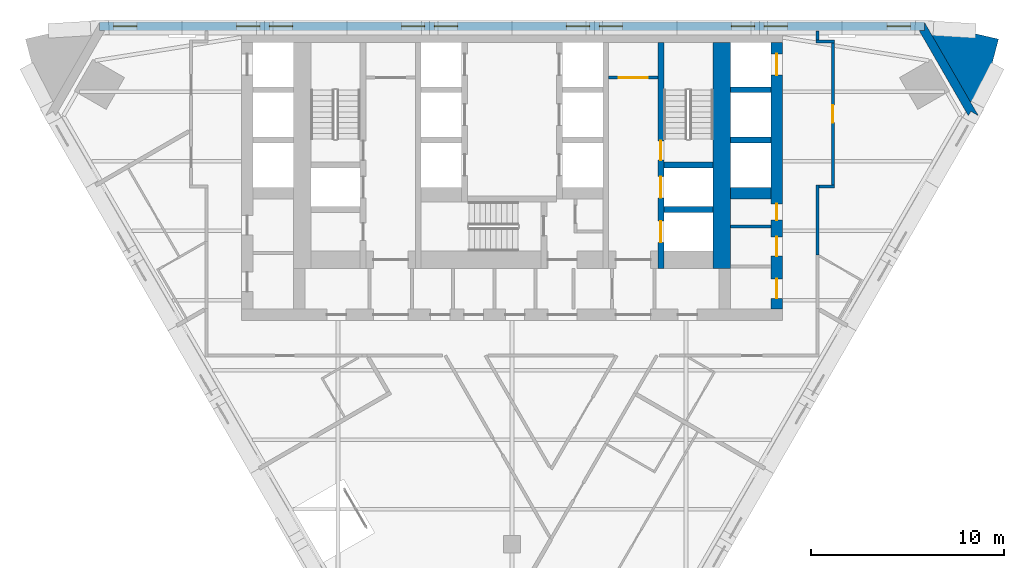
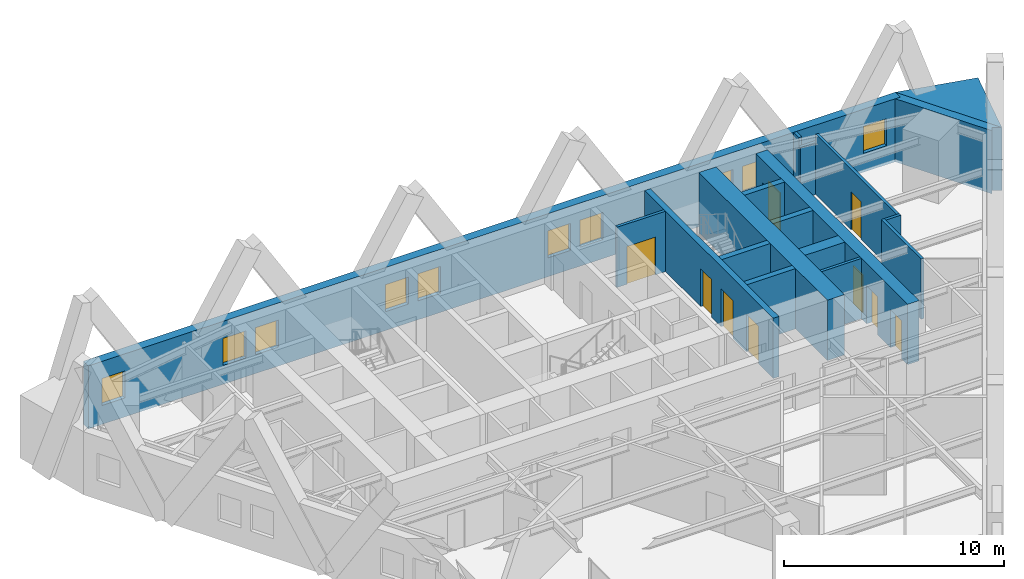
# One storey, part 10 of 12: 18 walls, 10 windows, 9 doors, 19 openings.
"""IFC4 building model written with IfcOpenShell, lengths in metres."""

from ifc_helpers import new_model, si_unit, direction, frame, frame_2d, origin, place, context, subcontext, project, spatial, polyline, rectangle, outline, extrude, material, layer, layer_set, type_object, element, fill, save


model = new_model("IFC4")

# Units and contexts
model_context = context("Model", 3, precision=1e-05, world=origin(), true_north=direction((0.0, 1.0)))
body_context = subcontext(model_context, "Body", "Model", "MODEL_VIEW")
ifc_project = project(units=[si_unit("LENGTHUNIT", "METRE"), si_unit("AREAUNIT", "SQUARE_METRE"), si_unit("VOLUMEUNIT", "CUBIC_METRE"), si_unit("PLANEANGLEUNIT", "RADIAN"), si_unit("MASSUNIT", "GRAM", prefix="KILO")], contexts=[model_context])

# Site, building, storey
site_placement = place(None, origin())
site = spatial("IfcSite", under=ifc_project, at=site_placement, CompositionType="ELEMENT")
building_placement = place(site_placement, origin())
building = spatial("IfcBuilding", under=site, at=building_placement, Name="Aloe Facet Convention Tower", CompositionType="ELEMENT")
storey_placement = place(building_placement, frame((0.0, 0.0, 102.800048828125)))
storey = spatial("IfcBuildingStorey", under=building, at=storey_placement, Name="L25", CompositionType="ELEMENT", Elevation=102.800048828125)

# Wall, opening, door
ifc_material_1 = material(Name="Concrete blockwork partition", Category="masonry")
ifc_layer_1 = layer(ifc_material_1, 0.14990234375)
ifc_layer_set_1 = layer_set([ifc_layer_1], Name="CR-W-PART150")
wall_type_1 = type_object("IfcWallType", Name="CR-W-PART150", PredefinedType="PARTITIONING", material=ifc_layer_set_1)
wall_1_placement = place(storey_placement, frame((85.0, 132.125, 0.0), z_axis=(0.0, 0.0, 1.0), x_axis=(1.0, 0.0, 0.0)))
wall_1 = element("IfcWall", 1, at=wall_1_placement, inside=storey, type_object=wall_type_1, Name="Core partition L25-038", PredefinedType="PARTITIONING", context=body_context, shape_type="SweptSolid", body=[
    extrude(rectangle(XDim=2.550048828125, YDim=0.14990234375, at=frame_2d((1.27490234375, 0.0))), origin(), (0.0, 0.0, 1.0), 3.349853515625),
])
opening_1_placement = place(wall_1_placement, frame((0.52490234375, 0.0, 0.0)))
opening_1 = element("IfcOpeningElement", 2, at=opening_1_placement, cuts=wall_1, Name="Opening L25-CD21", PredefinedType="OPENING", context=body_context, shape_type="SweptSolid", body=[
    extrude(rectangle(XDim=1.5, YDim=2.10009765625, at=frame_2d((0.75, 1.050048828125))), frame((0.0, 0.0849609375, 0.0), z_axis=(0.0, -1.0, 0.0), x_axis=(1.0, 0.0, 0.0)), (0.0, 0.0, 1.0), 0.169921875),
])
ifc_material_2 = material(Name="Steel fire-resisting door set FD60", Category="steel")
door_type_1 = type_object("IfcDoorType", Name="CR-D-REFUGE-1500-FD60-DD", OperationType="DOUBLE_DOOR_DOUBLE_SWING", PredefinedType="DOOR", material=ifc_material_2)
door_1_placement = place(opening_1_placement, origin())
door_1 = element("IfcDoor", 3, at=door_1_placement, inside=storey, type_object=door_type_1, Name="Core door L25-CD21", OperationType="DOUBLE_DOOR_DOUBLE_SWING", OverallHeight=2.10009765625, OverallWidth=1.5, PredefinedType="DOOR", context=body_context, shape_type="SweptSolid", body=[
    extrude(rectangle(XDim=1.5, YDim=2.10009765625, at=frame_2d((0.75, 1.050048828125))), frame((0.0, 0.02490234375, 0.0), z_axis=(0.0, -1.0, 0.0), x_axis=(1.0, 0.0, 0.0)), (0.0, 0.0, 1.0), 0.050048828125),
])
fill(opening_1, door_1)

# Wall
wall_2_placement = place(storey_placement, frame((91.300048828125, 124.425048828125, 0.0), z_axis=(0.0, 0.0, 1.0), x_axis=(1.0, 0.0, 0.0)))
element("IfcWall", 4, at=wall_2_placement, inside=storey, type_object=wall_type_1, Name="Core partition L25-051", PredefinedType="PARTITIONING", context=body_context, shape_type="SweptSolid", body=[
    extrude(rectangle(XDim=2.099853515625, YDim=0.14990234375, at=frame_2d((1.0498046875, 0.0))), origin(), (0.0, 0.0, 1.0), 3.349853515625),
])

# Wall, openings, doors
ifc_material_3 = material(Name="Concrete C70/85", Category="concrete")
ifc_layer_2 = layer(ifc_material_3, 0.300048828125)
ifc_layer_set_2 = layer_set([ifc_layer_2], Name="CR-W-RC300-C7085")
wall_type_2 = type_object("IfcWallType", Name="CR-W-RC300-C7085", PredefinedType="SOLIDWALL", material=ifc_layer_set_2)
wall_3_placement = place(storey_placement, frame((87.699951171875, 133.949951171875, 0.0), z_axis=(0.0, 0.0, 1.0), x_axis=(0.0, -1.0, 0.0)))
wall_3 = element("IfcWall", 5, at=wall_3_placement, inside=storey, type_object=wall_type_2, Name="Core wall L25-042", PredefinedType="SOLIDWALL", context=body_context, shape_type="SweptSolid", body=[
    extrude(rectangle(XDim=11.699951171875, YDim=0.300048828125, at=frame_2d((5.85009765625, 0.0))), origin(), (0.0, 0.0, 1.0), 3.349853515625),
])
opening_2_placement = place(wall_3_placement, frame((6.949951171875, 0.0, 0.0)))
opening_2 = element("IfcOpeningElement", 6, at=opening_2_placement, cuts=wall_3, Name="Opening LD-FF2-L25", PredefinedType="OPENING", context=body_context, shape_type="SweptSolid", body=[
    extrude(rectangle(XDim=1.10009765625, YDim=2.10009765625, at=frame_2d((0.550048828125, 1.050048828125))), frame((0.0, 0.16015625, 0.0), z_axis=(0.0, -1.0, 0.0), x_axis=(1.0, 0.0, 0.0)), (0.0, 0.0, 1.0), 0.320068359375),
])
opening_3_placement = place(wall_3_placement, frame((5.10009765625, 0.0, 0.0)))
opening_3 = element("IfcOpeningElement", 7, at=opening_3_placement, cuts=wall_3, Name="Opening L25-CD31", PredefinedType="OPENING", context=body_context, shape_type="SweptSolid", body=[
    extrude(rectangle(XDim=1.0, YDim=2.10009765625, at=frame_2d((0.5, 1.050048828125))), frame((0.0, 0.16015625, 0.0), z_axis=(0.0, -1.0, 0.0), x_axis=(1.0, 0.0, 0.0)), (0.0, 0.0, 1.0), 0.320068359375),
])
opening_4_placement = place(wall_3_placement, frame((9.25, 0.0, 0.0)))
opening_4 = element("IfcOpeningElement", 8, at=opening_4_placement, cuts=wall_3, Name="Opening LD-SV1-L25", PredefinedType="OPENING", context=body_context, shape_type="SweptSolid", body=[
    extrude(rectangle(XDim=1.10009765625, YDim=2.10009765625, at=frame_2d((0.550048828125, 1.050048828125))), frame((0.0, 0.16015625, 0.0), z_axis=(0.0, -1.0, 0.0), x_axis=(1.0, 0.0, 0.0)), (0.0, 0.0, 1.0), 0.320068359375),
])
ifc_material_4 = material(Name="Steel fire-resisting door set FD120", Category="steel")
door_type_2 = type_object("IfcDoorType", Name="CR-D-STAIR-1000-FD120-SLEFT", OperationType="SINGLE_SWING_LEFT", PredefinedType="DOOR", material=ifc_material_4)
door_2_placement = place(opening_3_placement, origin())
door_2 = element("IfcDoor", 9, at=door_2_placement, inside=storey, type_object=door_type_2, Name="Core door L25-CD31", OperationType="SINGLE_SWING_LEFT", OverallHeight=2.10009765625, OverallWidth=1.0, PredefinedType="DOOR", context=body_context, shape_type="SweptSolid", body=[
    extrude(rectangle(XDim=1.0, YDim=2.10009765625, at=frame_2d((0.5, 1.050048828125))), frame((0.0, 0.02490234375, 0.0), z_axis=(0.0, -1.0, 0.0), x_axis=(1.0, 0.0, 0.0)), (0.0, 0.0, 1.0), 0.050048828125),
])
fill(opening_3, door_2)
ifc_material_5 = material(Name="Stainless steel sliding landing door", Category="steel")
door_type_3 = type_object("IfcDoorType", Name="CR-LD-1100-FD120-_LEFT", OperationType="SLIDING_TO_LEFT", PredefinedType="DOOR", material=ifc_material_5)
door_3_placement = place(opening_2_placement, origin())
door_3 = element("IfcDoor", 10, at=door_3_placement, inside=storey, type_object=door_type_3, Name="Landing door FF2 L25", OperationType="SLIDING_TO_LEFT", OverallHeight=2.10009765625, OverallWidth=1.10009765625, PredefinedType="DOOR", context=body_context, shape_type="SweptSolid", body=[
    extrude(rectangle(XDim=1.10009765625, YDim=2.10009765625, at=frame_2d((0.550048828125, 1.050048828125))), frame((0.0, 0.02490234375, 0.0), z_axis=(0.0, -1.0, 0.0), x_axis=(1.0, 0.0, 0.0)), (0.0, 0.0, 1.0), 0.050048828125),
])
fill(opening_2, door_3)
door_4_placement = place(opening_4_placement, origin())
door_4 = element("IfcDoor", 11, at=door_4_placement, inside=storey, type_object=door_type_3, Name="Landing door SV1 L25", OperationType="SLIDING_TO_LEFT", OverallHeight=2.10009765625, OverallWidth=1.10009765625, PredefinedType="DOOR", context=body_context, shape_type="SweptSolid", body=[
    extrude(rectangle(XDim=1.10009765625, YDim=2.10009765625, at=frame_2d((0.550048828125, 1.050048828125))), frame((0.0, 0.02490234375, 0.0), z_axis=(0.0, -1.0, 0.0), x_axis=(1.0, 0.0, 0.0)), (0.0, 0.0, 1.0), 0.050048828125),
])
fill(opening_4, door_4)

# Walls
for number, where, z_axis, x_axis, name in (
    (12, (87.85009765625, 127.60009765625, 0.0), (0.0, 0.0, 1.0), (1.0, 0.0, 0.0), "Core wall L25-043"),
    (13, (87.85009765625, 125.300048828125, 0.0), (0.0, 0.0, 1.0), (1.0, 0.0, 0.0), "Core wall L25-044"),
):
    element("IfcWall", number, at=place(storey_placement, frame(where, z_axis=z_axis, x_axis=x_axis)), inside=storey, type_object=wall_type_2, Name=name, PredefinedType="SOLIDWALL", context=body_context, shape_type="SweptSolid", body=[
        extrude(rectangle(XDim=2.5498046875, YDim=0.300048828125, at=frame_2d((1.27490234375, 0.0))), origin(), (0.0, 0.0, 1.0), 3.349853515625),
    ])
for number, where, z_axis, x_axis, name in (
    (14, (91.300048828125, 131.5, 0.0), (0.0, 0.0, 1.0), (1.0, 0.0, 0.0), "Core wall L25-048"),
    (15, (91.300048828125, 128.89990234375, 0.0), (0.0, 0.0, 1.0), (1.0, 0.0, 0.0), "Core wall L25-049"),
):
    element("IfcWall", number, at=place(storey_placement, frame(where, z_axis=z_axis, x_axis=x_axis)), inside=storey, type_object=wall_type_2, Name=name, PredefinedType="SOLIDWALL", context=body_context, shape_type="SweptSolid", body=[
        extrude(rectangle(XDim=2.099853515625, YDim=0.300048828125, at=frame_2d((1.0498046875, 0.0))), origin(), (0.0, 0.0, 1.0), 3.349853515625),
    ])
ifc_material_6 = material(Name="Concrete C70/85", Category="concrete")
ifc_layer_3 = layer(ifc_material_6, 0.60009765625)
ifc_layer_set_3 = layer_set([ifc_layer_3], Name="CR-W-RC600-C7085")
wall_type_3 = type_object("IfcWallType", Name="CR-W-RC600-C7085", PredefinedType="SOLIDWALL", material=ifc_layer_set_3)
wall_4_placement = place(storey_placement, frame((91.300048828125, 126.14990234375, 0.0), z_axis=(0.0, 0.0, 1.0), x_axis=(1.0, 0.0, 0.0)))
element("IfcWall", 16, at=wall_4_placement, inside=storey, type_object=wall_type_3, Name="Core wall L25-050", PredefinedType="SOLIDWALL", context=body_context, shape_type="SweptSolid", body=[
    extrude(rectangle(XDim=2.099853515625, YDim=0.60009765625, at=frame_2d((1.0498046875, 0.0))), origin(), (0.0, 0.0, 1.0), 3.349853515625),
])

# Wall, openings, doors
wall_5_placement = place(storey_placement, frame((93.699951171875, 133.949951171875, 0.0), z_axis=(0.0, 0.0, 1.0), x_axis=(0.0, -1.0, 0.0)))
wall_5 = element("IfcWall", 17, at=wall_5_placement, inside=storey, type_object=wall_type_3, Name="Core wall L25-053", PredefinedType="SOLIDWALL", context=body_context, shape_type="SweptSolid", body=[
    extrude(rectangle(XDim=13.800048828125, YDim=0.60009765625, at=frame_2d((6.89990234375, 0.0))), origin(), (0.0, 0.0, 1.0), 3.349853515625),
])
opening_5_placement = place(wall_5_placement, frame((0.60009765625, 0.0, 0.0)))
opening_5 = element("IfcOpeningElement", 18, at=opening_5_placement, cuts=wall_5, Name="Opening LD-A8-L25", PredefinedType="OPENING", context=body_context, shape_type="SweptSolid", body=[
    extrude(rectangle(XDim=1.10009765625, YDim=2.10009765625, at=frame_2d((0.550048828125, 1.050048828125))), frame((0.0, 0.31005859375, 0.0), z_axis=(0.0, -1.0, 0.0), x_axis=(1.0, 0.0, 0.0)), (0.0, 0.0, 1.0), 0.6201171875),
])
opening_6_placement = place(wall_5_placement, frame((10.064208984375, 0.0, 0.0)))
opening_6 = element("IfcOpeningElement", 19, at=opening_6_placement, cuts=wall_5, Name="Opening L25-CD09", PredefinedType="OPENING", context=body_context, shape_type="SweptSolid", body=[
    extrude(rectangle(XDim=1.0, YDim=2.10009765625, at=frame_2d((0.5, 1.050048828125))), frame((0.0, 0.31005859375, 0.0), z_axis=(0.0, -1.0, 0.0), x_axis=(1.0, 0.0, 0.0)), (0.0, 0.0, 1.0), 0.6201171875),
])
opening_7_placement = place(wall_5_placement, frame((8.35009765625, 0.0, 0.0)))
opening_7 = element("IfcOpeningElement", 20, at=opening_7_placement, cuts=wall_5, Name="Opening L25-CD10", PredefinedType="OPENING", context=body_context, shape_type="SweptSolid", body=[
    extrude(rectangle(XDim=0.85009765625, YDim=2.10009765625, at=frame_2d((0.425048828125, 1.050048828125))), frame((0.0, 0.31005859375, 0.0), z_axis=(0.0, -1.0, 0.0), x_axis=(1.0, 0.0, 0.0)), (0.0, 0.0, 1.0), 0.6201171875),
])
opening_8_placement = place(wall_5_placement, frame((12.2392578125, 0.0, 0.0)))
opening_8 = element("IfcOpeningElement", 21, at=opening_8_placement, cuts=wall_5, Name="Opening L25-CD11", PredefinedType="OPENING", context=body_context, shape_type="SweptSolid", body=[
    extrude(rectangle(XDim=1.0, YDim=2.10009765625, at=frame_2d((0.5, 1.050048828125))), frame((0.0, 0.31005859375, 0.0), z_axis=(0.0, -1.0, 0.0), x_axis=(1.0, 0.0, 0.0)), (0.0, 0.0, 1.0), 0.6201171875),
])
ifc_material_7 = material(Name="Steel fire-resisting door set FD60", Category="steel")
door_type_4 = type_object("IfcDoorType", Name="CR-D-ROOM-1000-FD60-SLEFT", OperationType="SINGLE_SWING_LEFT", PredefinedType="DOOR", material=ifc_material_7)
door_5_placement = place(opening_6_placement, origin())
door_5 = element("IfcDoor", 22, at=door_5_placement, inside=storey, type_object=door_type_4, Name="Core door L25-CD09", OperationType="SINGLE_SWING_LEFT", OverallHeight=2.10009765625, OverallWidth=1.0, PredefinedType="DOOR", context=body_context, shape_type="SweptSolid", body=[
    extrude(rectangle(XDim=1.0, YDim=2.10009765625, at=frame_2d((0.5, 1.050048828125))), frame((0.0, 0.02490234375, 0.0), z_axis=(0.0, -1.0, 0.0), x_axis=(1.0, 0.0, 0.0)), (0.0, 0.0, 1.0), 0.050048828125),
])
fill(opening_6, door_5)
door_6_placement = place(opening_8_placement, origin())
door_6 = element("IfcDoor", 23, at=door_6_placement, inside=storey, type_object=door_type_4, Name="Core door L25-CD11", OperationType="SINGLE_SWING_LEFT", OverallHeight=2.10009765625, OverallWidth=1.0, PredefinedType="DOOR", context=body_context, shape_type="SweptSolid", body=[
    extrude(rectangle(XDim=1.0, YDim=2.10009765625, at=frame_2d((0.5, 1.050048828125))), frame((0.0, 0.02490234375, 0.0), z_axis=(0.0, -1.0, 0.0), x_axis=(1.0, 0.0, 0.0)), (0.0, 0.0, 1.0), 0.050048828125),
])
fill(opening_8, door_6)
ifc_material_8 = material(Name="Steel fire-resisting door set FD60", Category="steel")
door_type_5 = type_object("IfcDoorType", Name="CR-D-ROOM-850-FD60-SLEFT", OperationType="SINGLE_SWING_LEFT", PredefinedType="DOOR", material=ifc_material_8)
door_7_placement = place(opening_7_placement, origin())
door_7 = element("IfcDoor", 24, at=door_7_placement, inside=storey, type_object=door_type_5, Name="Core door L25-CD10", OperationType="SINGLE_SWING_LEFT", OverallHeight=2.10009765625, OverallWidth=0.85009765625, PredefinedType="DOOR", context=body_context, shape_type="SweptSolid", body=[
    extrude(rectangle(XDim=0.85009765625, YDim=2.10009765625, at=frame_2d((0.425048828125, 1.050048828125))), frame((0.0, 0.02490234375, 0.0), z_axis=(0.0, -1.0, 0.0), x_axis=(1.0, 0.0, 0.0)), (0.0, 0.0, 1.0), 0.050048828125),
])
fill(opening_7, door_7)
ifc_material_9 = material(Name="Stainless steel sliding landing door", Category="steel")
door_type_6 = type_object("IfcDoorType", Name="CR-LD-1100-FD60-_LEFT", OperationType="SLIDING_TO_LEFT", PredefinedType="DOOR", material=ifc_material_9)
door_8_placement = place(opening_5_placement, origin())
door_8 = element("IfcDoor", 25, at=door_8_placement, inside=storey, type_object=door_type_6, Name="Landing door A8 L25", OperationType="SLIDING_TO_LEFT", OverallHeight=2.10009765625, OverallWidth=1.10009765625, PredefinedType="DOOR", context=body_context, shape_type="SweptSolid", body=[
    extrude(rectangle(XDim=1.10009765625, YDim=2.10009765625, at=frame_2d((0.550048828125, 1.050048828125))), frame((0.0, 0.02490234375, 0.0), z_axis=(0.0, -1.0, 0.0), x_axis=(1.0, 0.0, 0.0)), (0.0, 0.0, 1.0), 0.050048828125),
])
fill(opening_5, door_8)

# Walls
ifc_material_10 = material(Name="Concrete C70/85", Category="concrete")
ifc_layer_4 = layer(ifc_material_10, 0.89990234375)
ifc_layer_set_4 = layer_set([ifc_layer_4], Name="CR-W-RC900-C7085")
wall_type_4 = type_object("IfcWallType", Name="CR-W-RC900-C7085", PredefinedType="SOLIDWALL", material=ifc_layer_set_4)
wall_6_placement = place(storey_placement, frame((90.85009765625, 133.949951171875, 0.0), z_axis=(0.0, 0.0, 1.0), x_axis=(0.0, -1.0, 0.0)))
element("IfcWall", 26, at=wall_6_placement, inside=storey, type_object=wall_type_4, Name="Core wall L25-046", PredefinedType="SOLIDWALL", context=body_context, shape_type="SweptSolid", body=[
    extrude(rectangle(XDim=11.699951171875, YDim=0.89990234375, at=frame_2d((5.85009765625, 0.0))), origin(), (0.0, 0.0, 1.0), 3.349853515625),
])
ifc_material_11 = material(Name="Precast concrete C40/50", Category="concrete")
ifc_layer_5 = layer(ifc_material_11, 0.449951171875)
ifc_layer_set_5 = layer_set([ifc_layer_5], Name="EV-WALL-PIER")
wall_type_5 = type_object("IfcWallType", Name="EV-WALL-PIER", PredefinedType="SOLIDWALL", material=ifc_layer_set_5)
wall_7_placement = place(storey_placement, frame((0.0, 0.0, -0.150146484375)))
element("IfcWall", 27, at=wall_7_placement, inside=storey, type_object=wall_type_5, Name="EP-L25-C", PredefinedType="SOLIDWALL", context=body_context, shape_type="SweptSolid", body=[
    extrude(outline(polyline([(104.12158203125, 130.150146484375), (103.73193359375, 130.375244140625), (103.601806640625, 130.150146484375), (101.061767578125, 134.550048828125), (101.321533203125, 134.550048828125), (101.321533203125, 135.0), (104.12158203125, 130.150146484375)])), origin(), (0.0, 0.0, 1.0), 3.5),
])
ifc_material_12 = material(Name="Precast concrete C40/50", Category="concrete")
ifc_layer_6 = layer(ifc_material_12, 3.947998046875)
ifc_layer_set_6 = layer_set([ifc_layer_6], Name="EV-WALL-SPINE")
wall_type_6 = type_object("IfcWallType", Name="EV-WALL-SPINE", PredefinedType="SOLIDWALL", material=ifc_layer_set_6)
wall_8_placement = place(storey_placement, frame((0.0, 0.0, -0.150146484375)))
element("IfcWall", 28, at=wall_8_placement, inside=storey, type_object=wall_type_6, Name="SP-NE-L25", PredefinedType="SOLIDWALL", context=body_context, shape_type="SweptSolid", body=[
    extrude(outline(polyline([(104.12158203125, 130.150146484375), (105.16015625, 134.11572265625), (101.321533203125, 135.0), (104.12158203125, 130.150146484375)])), origin(), (0.0, 0.0, 1.0), 3.5),
])

# Wall, openings, windows
ifc_material_13 = material(Name="Precast concrete C40/50", Category="concrete")
ifc_layer_7 = layer(ifc_material_13, 0.449951171875)
ifc_layer_set_7 = layer_set([ifc_layer_7], Name="EV-WALL-STONE")
wall_type_7 = type_object("IfcWallType", Name="EV-WALL-STONE", PredefinedType="SOLIDWALL", material=ifc_layer_set_7)
wall_9_placement = place(storey_placement, frame((101.321533203125, 134.77490234375, -0.150146484375), z_axis=(0.0, 0.0, 1.0), x_axis=(-1.0, 0.0, 0.0)))
wall_9 = element("IfcWall", 29, at=wall_9_placement, inside=storey, type_object=wall_type_7, Name="EW-L25-N01", PredefinedType="SOLIDWALL", context=body_context, shape_type="SweptSolid", body=[
    extrude(outline(polyline([(42.64306640625, 0.0), (42.64306640625, 3.5), (0.0, 3.5), (0.0, 0.0), (42.64306640625, 0.0)])), frame((0.0, 0.22509765625, 0.0), z_axis=(0.0, -1.0, 0.0), x_axis=(1.0, 0.0, 0.0)), (0.0, 0.0, 1.0), 0.449951171875),
])
opening_9_placement = place(wall_9_placement, frame((0.720458984375, 0.0, 1.050048828125)))
opening_9 = element("IfcOpeningElement", 30, at=opening_9_placement, cuts=wall_9, Name="Opening W-L25-N01", PredefinedType="OPENING", context=body_context, shape_type="SweptSolid", body=[
    extrude(rectangle(XDim=1.199951171875, YDim=1.5, at=frame_2d((0.60009765625, 0.75))), frame((0.0, 0.23486328125, 0.0), z_axis=(0.0, -1.0, 0.0), x_axis=(1.0, 0.0, 0.0)), (0.0, 0.0, 1.0), 0.469970703125),
])
opening_10_placement = place(wall_9_placement, frame((7.07861328125, 0.0, 1.050048828125)))
opening_10 = element("IfcOpeningElement", 31, at=opening_10_placement, cuts=wall_9, Name="Opening W-L25-N02", PredefinedType="OPENING", context=body_context, shape_type="SweptSolid", body=[
    extrude(rectangle(XDim=1.199951171875, YDim=1.5, at=frame_2d((0.60009765625, 0.75))), frame((0.0, 0.23486328125, 0.0), z_axis=(0.0, -1.0, 0.0), x_axis=(1.0, 0.0, 0.0)), (0.0, 0.0, 1.0), 0.469970703125),
])
opening_11_placement = place(wall_9_placement, frame((8.778564453125, 0.0, 1.050048828125)))
opening_11 = element("IfcOpeningElement", 32, at=opening_11_placement, cuts=wall_9, Name="Opening W-L25-N03", PredefinedType="OPENING", context=body_context, shape_type="SweptSolid", body=[
    extrude(rectangle(XDim=1.199951171875, YDim=1.5, at=frame_2d((0.60009765625, 0.75))), frame((0.0, 0.23486328125, 0.0), z_axis=(0.0, -1.0, 0.0), x_axis=(1.0, 0.0, 0.0)), (0.0, 0.0, 1.0), 0.469970703125),
])
opening_12_placement = place(wall_9_placement, frame((15.607177734375, 0.0, 1.050048828125)))
opening_12 = element("IfcOpeningElement", 33, at=opening_12_placement, cuts=wall_9, Name="Opening W-L25-N04", PredefinedType="OPENING", context=body_context, shape_type="SweptSolid", body=[
    extrude(rectangle(XDim=1.199951171875, YDim=1.5, at=frame_2d((0.60009765625, 0.75))), frame((0.0, 0.23486328125, 0.0), z_axis=(0.0, -1.0, 0.0), x_axis=(1.0, 0.0, 0.0)), (0.0, 0.0, 1.0), 0.469970703125),
])
opening_13_placement = place(wall_9_placement, frame((17.30712890625, 0.0, 1.050048828125)))
opening_13 = element("IfcOpeningElement", 34, at=opening_13_placement, cuts=wall_9, Name="Opening W-L25-N05", PredefinedType="OPENING", context=body_context, shape_type="SweptSolid", body=[
    extrude(rectangle(XDim=1.199951171875, YDim=1.5, at=frame_2d((0.60009765625, 0.75))), frame((0.0, 0.23486328125, 0.0), z_axis=(0.0, -1.0, 0.0), x_axis=(1.0, 0.0, 0.0)), (0.0, 0.0, 1.0), 0.469970703125),
])
opening_14_placement = place(wall_9_placement, frame((24.1357421875, 0.0, 1.050048828125)))
opening_14 = element("IfcOpeningElement", 35, at=opening_14_placement, cuts=wall_9, Name="Opening W-L25-N06", PredefinedType="OPENING", context=body_context, shape_type="SweptSolid", body=[
    extrude(rectangle(XDim=1.199951171875, YDim=1.5, at=frame_2d((0.60009765625, 0.75))), frame((0.0, 0.23486328125, 0.0), z_axis=(0.0, -1.0, 0.0), x_axis=(1.0, 0.0, 0.0)), (0.0, 0.0, 1.0), 0.469970703125),
])
opening_15_placement = place(wall_9_placement, frame((25.8359375, 0.0, 1.050048828125)))
opening_15 = element("IfcOpeningElement", 36, at=opening_15_placement, cuts=wall_9, Name="Opening W-L25-N07", PredefinedType="OPENING", context=body_context, shape_type="SweptSolid", body=[
    extrude(rectangle(XDim=1.199951171875, YDim=1.5, at=frame_2d((0.60009765625, 0.75))), frame((0.0, 0.23486328125, 0.0), z_axis=(0.0, -1.0, 0.0), x_axis=(1.0, 0.0, 0.0)), (0.0, 0.0, 1.0), 0.469970703125),
])
opening_16_placement = place(wall_9_placement, frame((32.66455078125, 0.0, 1.050048828125)))
opening_16 = element("IfcOpeningElement", 37, at=opening_16_placement, cuts=wall_9, Name="Opening W-L25-N08", PredefinedType="OPENING", context=body_context, shape_type="SweptSolid", body=[
    extrude(rectangle(XDim=1.199951171875, YDim=1.5, at=frame_2d((0.60009765625, 0.75))), frame((0.0, 0.23486328125, 0.0), z_axis=(0.0, -1.0, 0.0), x_axis=(1.0, 0.0, 0.0)), (0.0, 0.0, 1.0), 0.469970703125),
])
opening_17_placement = place(wall_9_placement, frame((34.364501953125, 0.0, 1.050048828125)))
opening_17 = element("IfcOpeningElement", 38, at=opening_17_placement, cuts=wall_9, Name="Opening W-L25-N09", PredefinedType="OPENING", context=body_context, shape_type="SweptSolid", body=[
    extrude(rectangle(XDim=1.199951171875, YDim=1.5, at=frame_2d((0.60009765625, 0.75))), frame((0.0, 0.23486328125, 0.0), z_axis=(0.0, -1.0, 0.0), x_axis=(1.0, 0.0, 0.0)), (0.0, 0.0, 1.0), 0.469970703125),
])
opening_18_placement = place(wall_9_placement, frame((40.722412109375, 0.0, 1.050048828125)))
opening_18 = element("IfcOpeningElement", 39, at=opening_18_placement, cuts=wall_9, Name="Opening W-L25-N10", PredefinedType="OPENING", context=body_context, shape_type="SweptSolid", body=[
    extrude(rectangle(XDim=1.199951171875, YDim=1.5, at=frame_2d((0.60009765625, 0.75))), frame((0.0, 0.23486328125, 0.0), z_axis=(0.0, -1.0, 0.0), x_axis=(1.0, 0.0, 0.0)), (0.0, 0.0, 1.0), 0.469970703125),
])
ifc_material_14 = material(Name="Aluminium frame, clear double glazing", Category="aluminium")
window_type = type_object("IfcWindowType", Name="EV-WIN-H12", PartitioningType="SINGLE_PANEL", PredefinedType="WINDOW", material=ifc_material_14)
window_1_placement = place(opening_9_placement, origin())
window_1 = element("IfcWindow", 40, at=window_1_placement, inside=storey, type_object=window_type, Name="W-L25-N01", OverallHeight=1.5, OverallWidth=1.199951171875, PartitioningType="SINGLE_PANEL", PredefinedType="WINDOW", context=body_context, shape_type="SweptSolid", body=[
    extrude(rectangle(XDim=1.199951171875, YDim=1.5, at=frame_2d((0.60009765625, 0.75))), frame((0.0, 0.030029296875, 0.0), z_axis=(0.0, -1.0, 0.0), x_axis=(1.0, 0.0, 0.0)), (0.0, 0.0, 1.0), 0.06005859375),
])
fill(opening_9, window_1)
window_2_placement = place(opening_10_placement, origin())
window_2 = element("IfcWindow", 41, at=window_2_placement, inside=storey, type_object=window_type, Name="W-L25-N02", OverallHeight=1.5, OverallWidth=1.199951171875, PartitioningType="SINGLE_PANEL", PredefinedType="WINDOW", context=body_context, shape_type="SweptSolid", body=[
    extrude(rectangle(XDim=1.199951171875, YDim=1.5, at=frame_2d((0.60009765625, 0.75))), frame((0.0, 0.030029296875, 0.0), z_axis=(0.0, -1.0, 0.0), x_axis=(1.0, 0.0, 0.0)), (0.0, 0.0, 1.0), 0.06005859375),
])
fill(opening_10, window_2)
window_3_placement = place(opening_11_placement, origin())
window_3 = element("IfcWindow", 42, at=window_3_placement, inside=storey, type_object=window_type, Name="W-L25-N03", OverallHeight=1.5, OverallWidth=1.199951171875, PartitioningType="SINGLE_PANEL", PredefinedType="WINDOW", context=body_context, shape_type="SweptSolid", body=[
    extrude(rectangle(XDim=1.199951171875, YDim=1.5, at=frame_2d((0.60009765625, 0.75))), frame((0.0, 0.030029296875, 0.0), z_axis=(0.0, -1.0, 0.0), x_axis=(1.0, 0.0, 0.0)), (0.0, 0.0, 1.0), 0.06005859375),
])
fill(opening_11, window_3)
window_4_placement = place(opening_12_placement, origin())
window_4 = element("IfcWindow", 43, at=window_4_placement, inside=storey, type_object=window_type, Name="W-L25-N04", OverallHeight=1.5, OverallWidth=1.199951171875, PartitioningType="SINGLE_PANEL", PredefinedType="WINDOW", context=body_context, shape_type="SweptSolid", body=[
    extrude(rectangle(XDim=1.199951171875, YDim=1.5, at=frame_2d((0.60009765625, 0.75))), frame((0.0, 0.030029296875, 0.0), z_axis=(0.0, -1.0, 0.0), x_axis=(1.0, 0.0, 0.0)), (0.0, 0.0, 1.0), 0.06005859375),
])
fill(opening_12, window_4)
window_5_placement = place(opening_13_placement, origin())
window_5 = element("IfcWindow", 44, at=window_5_placement, inside=storey, type_object=window_type, Name="W-L25-N05", OverallHeight=1.5, OverallWidth=1.199951171875, PartitioningType="SINGLE_PANEL", PredefinedType="WINDOW", context=body_context, shape_type="SweptSolid", body=[
    extrude(rectangle(XDim=1.199951171875, YDim=1.5, at=frame_2d((0.60009765625, 0.75))), frame((0.0, 0.030029296875, 0.0), z_axis=(0.0, -1.0, 0.0), x_axis=(1.0, 0.0, 0.0)), (0.0, 0.0, 1.0), 0.06005859375),
])
fill(opening_13, window_5)
window_6_placement = place(opening_14_placement, origin())
window_6 = element("IfcWindow", 45, at=window_6_placement, inside=storey, type_object=window_type, Name="W-L25-N06", OverallHeight=1.5, OverallWidth=1.199951171875, PartitioningType="SINGLE_PANEL", PredefinedType="WINDOW", context=body_context, shape_type="SweptSolid", body=[
    extrude(rectangle(XDim=1.199951171875, YDim=1.5, at=frame_2d((0.60009765625, 0.75))), frame((0.0, 0.030029296875, 0.0), z_axis=(0.0, -1.0, 0.0), x_axis=(1.0, 0.0, 0.0)), (0.0, 0.0, 1.0), 0.06005859375),
])
fill(opening_14, window_6)
window_7_placement = place(opening_15_placement, origin())
window_7 = element("IfcWindow", 46, at=window_7_placement, inside=storey, type_object=window_type, Name="W-L25-N07", OverallHeight=1.5, OverallWidth=1.199951171875, PartitioningType="SINGLE_PANEL", PredefinedType="WINDOW", context=body_context, shape_type="SweptSolid", body=[
    extrude(rectangle(XDim=1.199951171875, YDim=1.5, at=frame_2d((0.60009765625, 0.75))), frame((0.0, 0.030029296875, 0.0), z_axis=(0.0, -1.0, 0.0), x_axis=(1.0, 0.0, 0.0)), (0.0, 0.0, 1.0), 0.06005859375),
])
fill(opening_15, window_7)
window_8_placement = place(opening_16_placement, origin())
window_8 = element("IfcWindow", 47, at=window_8_placement, inside=storey, type_object=window_type, Name="W-L25-N08", OverallHeight=1.5, OverallWidth=1.199951171875, PartitioningType="SINGLE_PANEL", PredefinedType="WINDOW", context=body_context, shape_type="SweptSolid", body=[
    extrude(rectangle(XDim=1.199951171875, YDim=1.5, at=frame_2d((0.60009765625, 0.75))), frame((0.0, 0.030029296875, 0.0), z_axis=(0.0, -1.0, 0.0), x_axis=(1.0, 0.0, 0.0)), (0.0, 0.0, 1.0), 0.06005859375),
])
fill(opening_16, window_8)
window_9_placement = place(opening_17_placement, origin())
window_9 = element("IfcWindow", 48, at=window_9_placement, inside=storey, type_object=window_type, Name="W-L25-N09", OverallHeight=1.5, OverallWidth=1.199951171875, PartitioningType="SINGLE_PANEL", PredefinedType="WINDOW", context=body_context, shape_type="SweptSolid", body=[
    extrude(rectangle(XDim=1.199951171875, YDim=1.5, at=frame_2d((0.60009765625, 0.75))), frame((0.0, 0.030029296875, 0.0), z_axis=(0.0, -1.0, 0.0), x_axis=(1.0, 0.0, 0.0)), (0.0, 0.0, 1.0), 0.06005859375),
])
fill(opening_17, window_9)
window_10_placement = place(opening_18_placement, origin())
window_10 = element("IfcWindow", 49, at=window_10_placement, inside=storey, type_object=window_type, Name="W-L25-N10", OverallHeight=1.5, OverallWidth=1.199951171875, PartitioningType="SINGLE_PANEL", PredefinedType="WINDOW", context=body_context, shape_type="SweptSolid", body=[
    extrude(rectangle(XDim=1.199951171875, YDim=1.5, at=frame_2d((0.60009765625, 0.75))), frame((0.0, 0.030029296875, 0.0), z_axis=(0.0, -1.0, 0.0), x_axis=(1.0, 0.0, 0.0)), (0.0, 0.0, 1.0), 0.06005859375),
])
fill(opening_18, window_10)

# Walls
ifc_material_15 = material(Name="Gypsum board partition on steel studs", Category="steel")
ifc_layer_8 = layer(ifc_material_15, 0.14990234375)
ifc_layer_set_8 = layer_set([ifc_layer_8], Name="IN-W-CORR")
wall_type_8 = type_object("IfcWallType", Name="IN-W-CORR", PredefinedType="PARTITIONING", material=ifc_layer_set_8)
wall_10_placement = place(storey_placement, frame((95.800048828125, 122.9541015625, 0.0), z_axis=(0.0, 0.0, 1.0), x_axis=(0.0, 1.0, 0.0)))
element("IfcWall", 50, at=wall_10_placement, inside=storey, type_object=wall_type_8, Name="Partition L25-W061", PredefinedType="PARTITIONING", context=body_context, shape_type="SweptSolid", body=[
    extrude(rectangle(XDim=3.620849609375, YDim=0.14990234375, at=frame_2d((1.810546875, 0.0))), origin(), (0.0, 0.0, 1.0), 3.349853515625),
])
wall_11_placement = place(storey_placement, frame((95.875, 126.5, 0.0), z_axis=(0.0, 0.0, 1.0), x_axis=(0.999999813758, 0.000610314198, 0.0)))
element("IfcWall", 51, at=wall_11_placement, inside=storey, type_object=wall_type_8, Name="Partition L25-W062", PredefinedType="PARTITIONING", context=body_context, shape_type="SweptSolid", body=[
    extrude(rectangle(XDim=0.800048828125, YDim=0.14990234375, at=frame_2d((0.39990234375, 0.0))), origin(), (0.0, 0.0, 1.0), 3.349853515625),
])
wall_12_placement = place(storey_placement, frame((95.72509765625, 134.0, 0.0), z_axis=(0.0, 0.0, 1.0), x_axis=(1.0, 0.0, 0.0)))
element("IfcWall", 52, at=wall_12_placement, inside=storey, type_object=wall_type_8, Name="Partition L25-W070", PredefinedType="PARTITIONING", context=body_context, shape_type="SweptSolid", body=[
    extrude(rectangle(XDim=0.949462890625, YDim=0.14990234375, at=frame_2d((0.474609375, 0.0))), origin(), (0.0, 0.0, 1.0), 2.886474609375),
])

# Wall, opening, door
wall_13_placement = place(storey_placement, frame((96.599609375, 133.925048828125, 0.0), z_axis=(0.0, 0.0, 1.0), x_axis=(6.6436354e-05, -0.999999997793, 0.0)))
wall_13 = element("IfcWall", 53, at=wall_13_placement, inside=storey, type_object=wall_type_8, Name="Partition L25-W071", PredefinedType="PARTITIONING", context=body_context, shape_type="SweptSolid", body=[
    extrude(rectangle(XDim=7.349609375, YDim=0.14990234375, at=frame_2d((3.6748046875, 0.0))), origin(), (0.0, 0.0, 1.0), 3.349853515625),
])
opening_19_placement = place(wall_13_placement, frame((3.224853515625, 0.0, 0.0)))
opening_19 = element("IfcOpeningElement", 54, at=opening_19_placement, cuts=wall_13, Name="Opening L25-003", PredefinedType="OPENING", context=body_context, shape_type="SweptSolid", body=[
    extrude(rectangle(XDim=0.89990234375, YDim=2.10009765625, at=frame_2d((0.449951171875, 1.050048828125))), frame((0.0, 0.0849609375, 0.0), z_axis=(0.0, -1.0, 0.0), x_axis=(1.0, 0.0, 0.0)), (0.0, 0.0, 1.0), 0.169921875),
])
ifc_material_16 = material(Name="Hardwood flush door FD30S", Category="wood")
door_type_7 = type_object("IfcDoorType", Name="IN-D-GUEST", OperationType="SINGLE_SWING_LEFT", PredefinedType="DOOR", material=ifc_material_16)
door_9_placement = place(opening_19_placement, origin())
door_9 = element("IfcDoor", 55, at=door_9_placement, inside=storey, type_object=door_type_7, Name="Door L25-003", OperationType="SINGLE_SWING_LEFT", OverallHeight=2.10009765625, OverallWidth=0.89990234375, PredefinedType="DOOR", context=body_context, shape_type="SweptSolid", body=[
    extrude(rectangle(XDim=0.89990234375, YDim=2.10009765625, at=frame_2d((0.449951171875, 1.050048828125))), frame((0.0, 0.02490234375, 0.0), z_axis=(0.0, -1.0, 0.0), x_axis=(1.0, 0.0, 0.0)), (0.0, 0.0, 1.0), 0.050048828125),
])
fill(opening_19, door_9)

# Wall
wall_14_placement = place(storey_placement, frame((95.800048828125, 134.074951171875, 0.0), z_axis=(0.0, 0.0, 1.0), x_axis=(0.0, 1.0, 0.0)))
element("IfcWall", 56, at=wall_14_placement, inside=storey, type_object=wall_type_8, Name="Partition L25-W072", PredefinedType="PARTITIONING", context=body_context, shape_type="SweptSolid", body=[
    extrude(rectangle(XDim=0.465087890625, YDim=0.14990234375, at=frame_2d((0.232421875, 0.0))), origin(), (0.0, 0.0, 1.0), 3.349853515625),
])

save(model, "model.ifc")
